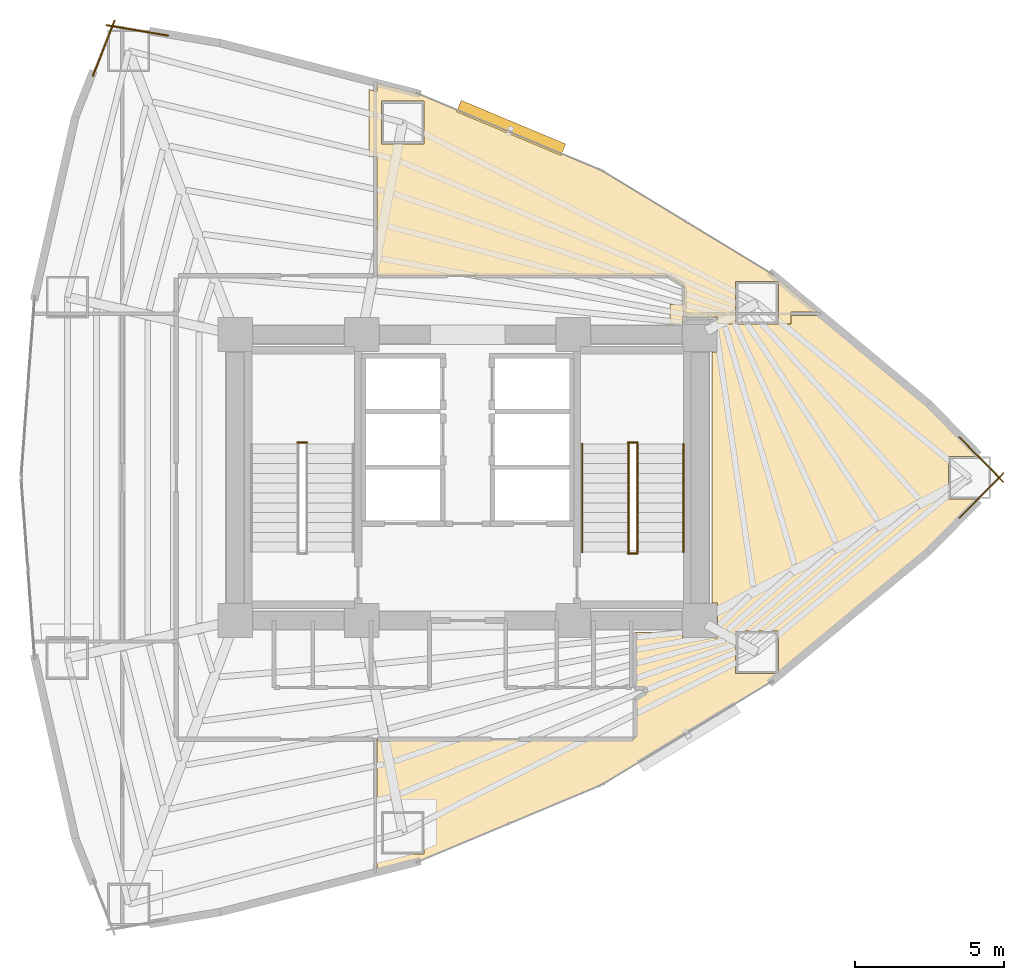
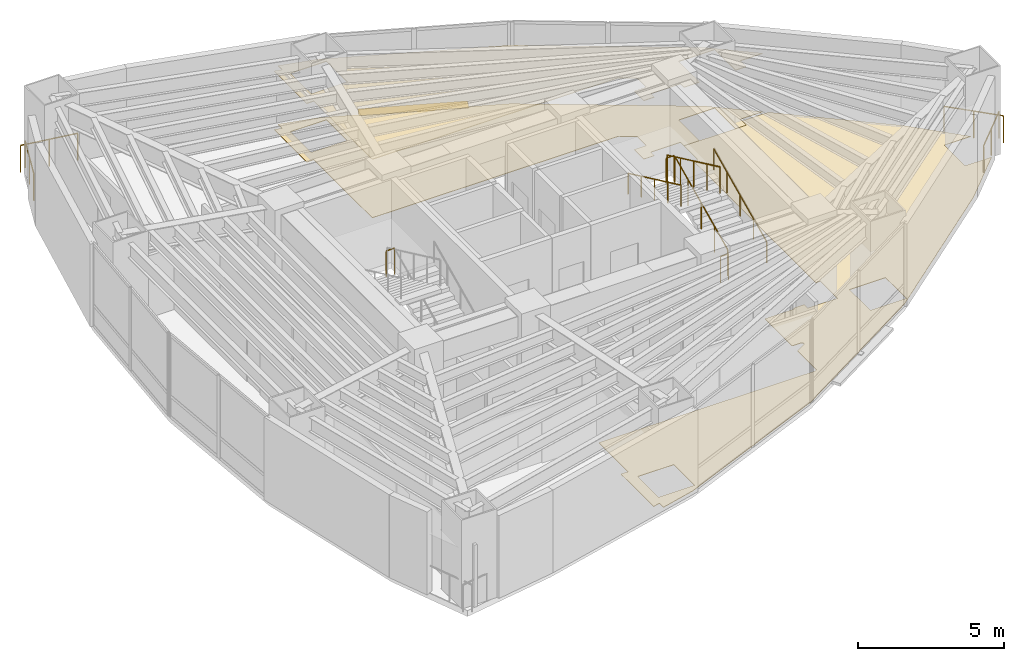
# One storey, part 17 of 17: 11 railings, 3 coverings, 1 shading device.
"""IFC4 building model written with IfcOpenShell, lengths in metres."""

from ifc_helpers import new_model, si_unit, direction, frame, origin, origin_2d, place, context, subcontext, project, spatial, polyline, rectangle, circle, outline, extrude, material, layer, layer_set, type_object, element, save


model = new_model("IFC4")

# Units and contexts
model_context = context("Model", 3, precision=1e-05, world=origin(), true_north=direction((0.0, 1.0)))
body_context = subcontext(model_context, "Body", "Model", "MODEL_VIEW")
ifc_project = project(units=[si_unit("LENGTHUNIT", "METRE"), si_unit("AREAUNIT", "SQUARE_METRE"), si_unit("VOLUMEUNIT", "CUBIC_METRE"), si_unit("PLANEANGLEUNIT", "RADIAN"), si_unit("MASSUNIT", "GRAM", prefix="KILO")], contexts=[model_context])

# Site, building, storey
site_placement = place(None, origin())
site = spatial("IfcSite", under=ifc_project, at=site_placement, CompositionType="ELEMENT")
building_placement = place(site_placement, origin())
building = spatial("IfcBuilding", under=site, at=building_placement, Name="Menara Vayukalpa", CompositionType="ELEMENT")
storey_placement = place(building_placement, frame((0.0, 0.0, 42.47998046875)))
storey = spatial("IfcBuildingStorey", under=building, at=storey_placement, Name="L09", CompositionType="ELEMENT", Elevation=42.47998046875)

# Coverings
ifc_material_1 = material(Name="Mineral Fibre Acoustic Ceiling Tile", Category="masonry")
ifc_layer_1 = layer(ifc_material_1, 0.02490234375)
ifc_layer_set_1 = layer_set([ifc_layer_1], Name="Mineral Fibre Acoustic Ceiling Tile")
covering_type_1 = type_object("IfcCoveringType", Name="COV-CLG1", PredefinedType="CEILING", material=ifc_layer_set_1)
covering_1_placement = place(storey_placement, frame((0.0, 0.0, 2.449951171875)))
element("IfcCovering", 1, at=covering_1_placement, inside=storey, type_object=covering_type_1, Name="L09 Executive Boardroom Acoustic Ceiling", PredefinedType="CEILING", context=body_context, shape_type="SweptSolid", body=[
    extrude(outline(polyline([(36.032958984375, 27.14990234375), (36.032958984375, 28.578125), (34.60302734375, 28.578125), (34.60302734375, 27.14990234375), (34.409912109375, 27.14990234375), (34.18310546875, 27.14990234375), (33.989990234375, 27.14990234375), (33.989990234375, 27.389892578125), (32.81005859375, 27.389892578125), (32.81005859375, 27.14990234375), (32.389892578125, 27.14990234375), (32.389892578125, 27.81005859375), (32.8701171875, 27.81005859375), (32.8701171875, 28.39453125), (32.86962890625, 28.40185546875), (32.868408203125, 28.408935546875), (32.86669921875, 28.416015625), (32.8642578125, 28.422607421875), (32.861083984375, 28.428955078125), (32.857177734375, 28.43505859375), (32.852783203125, 28.440673828125), (32.847900390625, 28.44580078125), (32.84228515625, 28.450439453125), (32.836181640625, 28.45458984375), (32.333984375, 28.759765625), (32.328125, 28.762939453125), (32.322509765625, 28.765380859375), (32.31640625, 28.767333984375), (32.31005859375, 28.768798828125), (32.3037109375, 28.769775390625), (32.297119140625, 28.77001953125), (22.570068359375, 28.77001953125), (22.569091796875, 28.77001953125), (22.568115234375, 28.770263671875), (22.567138671875, 28.7705078125), (22.566162109375, 28.770751953125), (22.565185546875, 28.771240234375), (22.564453125, 28.771728515625), (22.563720703125, 28.772216796875), (22.56298828125, 28.77294921875), (22.562255859375, 28.773681640625), (22.561767578125, 28.7744140625), (22.561279296875, 28.775390625), (22.560791015625, 28.776123046875), (22.560302734375, 28.777099609375), (22.560302734375, 28.778076171875), (22.56005859375, 28.779052734375), (22.56005859375, 28.780029296875), (22.56005859375, 32.787841796875), (22.284423828125, 32.787841796875), (22.284423828125, 35.03076171875), (22.56005859375, 34.96044921875), (22.56005859375, 35.226318359375), (22.56005859375, 35.227294921875), (22.560302734375, 35.228271484375), (22.560302734375, 35.22900390625), (22.560791015625, 35.22998046875), (22.56103515625, 35.23095703125), (22.5615234375, 35.231689453125), (22.562255859375, 35.232421875), (22.562744140625, 35.233154296875), (22.5634765625, 35.23388671875), (22.564208984375, 35.234619140625), (22.565185546875, 35.235107421875), (22.56591796875, 35.2353515625), (22.56689453125, 35.23583984375), (22.567626953125, 35.236083984375), (22.568603515625, 35.236083984375), (22.569580078125, 35.236328125), (22.570556640625, 35.236328125), (22.571533203125, 35.236083984375), (22.572509765625, 35.236083984375), (23.914794921875, 34.893798828125), (23.916015625, 34.893310546875), (30.08984375, 32.310791015625), (30.090576171875, 32.310302734375), (30.09130859375, 32.31005859375), (35.810791015625, 28.835693359375), (35.81201171875, 28.834716796875), (37.327880859375, 27.57763671875), (37.32861328125, 27.576904296875), (37.3291015625, 27.576416015625), (37.32958984375, 27.575439453125), (37.330078125, 27.57470703125), (37.330810546875, 27.57373046875), (37.3310546875, 27.572998046875), (37.331298828125, 27.572021484375), (37.331298828125, 27.57080078125), (37.331298828125, 27.570068359375), (37.331298828125, 27.569091796875), (37.331298828125, 27.568115234375), (37.3310546875, 27.567138671875), (37.33056640625, 27.566162109375), (37.330078125, 27.565185546875), (37.32958984375, 27.564453125), (37.3291015625, 27.563720703125), (37.32861328125, 27.56298828125), (37.32763671875, 27.562255859375), (37.326904296875, 27.561767578125), (37.326171875, 27.561279296875), (37.3251953125, 27.560791015625), (37.32421875, 27.560302734375), (37.3232421875, 27.560302734375), (37.322509765625, 27.56005859375), (37.3212890625, 27.56005859375), (36.452880859375, 27.56005859375), (36.452880859375, 27.14990234375), (36.032958984375, 27.14990234375)]), holes=[polyline([(24.134521484375, 33.207763671875), (24.134521484375, 34.6376953125), (22.704345703125, 34.6376953125), (22.704345703125, 33.207763671875), (24.134521484375, 33.207763671875)])]), origin(), (0.0, 0.0, 1.0), 0.025146484375),
])
ifc_material_2 = material(Name="Porcelain Stoneware Floor Tile", Category="masonry")
ifc_layer_2 = layer(ifc_material_2, 0.02001953125)
ifc_layer_set_2 = layer_set([ifc_layer_2], Name="Porcelain Stoneware Floor Tile")
covering_type_2 = type_object("IfcCoveringType", Name="COV-FLR1", PredefinedType="FLOORING", material=ifc_layer_set_2)
covering_2_placement = place(storey_placement, origin())
element("IfcCovering", 2, at=covering_2_placement, inside=storey, type_object=covering_type_2, Name="L09 Executive Boardroom Porcelain Flooring", PredefinedType="FLOORING", context=body_context, shape_type="SweptSolid", body=[
    extrude(outline(polyline([(22.284423828125, 11.212158203125), (22.56005859375, 11.212158203125), (22.56005859375, 13.2099609375), (22.56005859375, 13.2109375), (22.560302734375, 13.2119140625), (22.560302734375, 13.212890625), (22.560791015625, 13.2138671875), (22.561279296875, 13.214599609375), (22.561767578125, 13.215576171875), (22.562255859375, 13.21630859375), (22.56298828125, 13.217041015625), (22.563720703125, 13.2177734375), (22.564453125, 13.21826171875), (22.565185546875, 13.21875), (22.566162109375, 13.21923828125), (22.567138671875, 13.219482421875), (22.568115234375, 13.2197265625), (22.569091796875, 13.219970703125), (22.570068359375, 13.219970703125), (31.149658203125, 13.219970703125), (31.15673828125, 13.220458984375), (31.163818359375, 13.22119140625), (31.17041015625, 13.222900390625), (31.1767578125, 13.225341796875), (31.18310546875, 13.228271484375), (31.188720703125, 13.231689453125), (31.194580078125, 13.236083984375), (31.199462890625, 13.240478515625), (31.2041015625, 13.24560546875), (31.208251953125, 13.251220703125), (31.2119140625, 13.257080078125), (31.214599609375, 13.26318359375), (31.217041015625, 13.269775390625), (31.21875, 13.2763671875), (31.219482421875, 13.283203125), (31.219970703125, 13.290283203125), (31.219970703125, 14.55810546875), (31.22021484375, 14.55908203125), (31.22021484375, 14.56005859375), (31.220458984375, 14.56103515625), (31.220703125, 14.56201171875), (31.22119140625, 14.56298828125), (31.2216796875, 14.563720703125), (31.222412109375, 14.564697265625), (31.22314453125, 14.565185546875), (31.22412109375, 14.56591796875), (31.224853515625, 14.56640625), (31.5927734375, 14.7900390625), (31.5986328125, 14.794189453125), (31.60400390625, 14.798583984375), (31.60888671875, 14.803466796875), (31.61328125, 14.80908203125), (31.6171875, 14.81494140625), (31.620361328125, 14.821044921875), (31.622802734375, 14.82763671875), (31.624755859375, 14.83447265625), (31.626220703125, 14.84130859375), (31.626708984375, 14.84814453125), (31.62646484375, 14.85498046875), (31.62548828125, 14.862060546875), (31.6240234375, 14.868896484375), (31.621826171875, 14.87548828125), (31.618896484375, 14.8818359375), (31.615478515625, 14.887939453125), (31.611328125, 14.8935546875), (31.606689453125, 14.898681640625), (31.6015625, 14.903564453125), (31.59619140625, 14.90771484375), (31.590087890625, 14.911376953125), (31.583740234375, 14.91455078125), (31.5771484375, 14.916748046875), (31.570556640625, 14.918701171875), (31.563720703125, 14.919677734375), (31.556396484375, 14.919921875), (31.219970703125, 14.919921875), (31.218994140625, 14.919921875), (31.218017578125, 14.920166015625), (31.217041015625, 14.92041015625), (31.21630859375, 14.9208984375), (31.21533203125, 14.921142578125), (31.21435546875, 14.921630859375), (31.213623046875, 14.92236328125), (31.212890625, 14.9228515625), (31.21240234375, 14.923583984375), (31.211669921875, 14.92431640625), (31.211181640625, 14.92529296875), (31.210693359375, 14.92626953125), (31.21044921875, 14.927001953125), (31.210205078125, 14.927978515625), (31.2099609375, 14.928955078125), (31.2099609375, 14.929931640625), (31.2099609375, 16.780029296875), (31.2099609375, 16.781005859375), (31.210205078125, 16.781982421875), (31.21044921875, 16.782958984375), (31.210693359375, 16.78369140625), (31.211181640625, 16.78466796875), (31.211669921875, 16.78564453125), (31.21240234375, 16.786376953125), (31.212890625, 16.787109375), (31.213623046875, 16.78759765625), (31.21435546875, 16.788330078125), (31.21533203125, 16.788818359375), (31.21630859375, 16.789306640625), (31.217041015625, 16.78955078125), (31.218017578125, 16.789794921875), (31.218994140625, 16.7900390625), (31.219970703125, 16.7900390625), (32.389892578125, 16.7900390625), (32.389892578125, 16.85009765625), (32.81005859375, 16.85009765625), (32.81005859375, 16.610107421875), (33.989990234375, 16.610107421875), (33.989990234375, 17.7900390625), (33.81005859375, 17.7900390625), (33.81005859375, 26.2099609375), (33.989990234375, 26.2099609375), (33.989990234375, 27.389892578125), (32.81005859375, 27.389892578125), (32.81005859375, 27.14990234375), (32.389892578125, 27.14990234375), (32.389892578125, 27.81005859375), (34.18310546875, 27.81005859375), (34.18310546875, 28.998291015625), (35.023193359375, 28.998291015625), (35.654296875, 28.61474609375), (35.698486328125, 28.578125), (34.60302734375, 28.578125), (34.60302734375, 27.148193359375), (36.032958984375, 27.148193359375), (36.032958984375, 28.30078125), (36.452880859375, 27.952392578125), (36.452880859375, 27.43994140625), (37.45263671875, 27.43994140625), (37.458740234375, 27.440185546875), (37.46435546875, 27.441162109375), (37.47021484375, 27.442626953125), (37.475830078125, 27.444580078125), (37.47802734375, 27.445556640625), (37.478759765625, 27.446044921875), (37.479736328125, 27.4462890625), (37.480712890625, 27.446533203125), (37.481689453125, 27.446533203125), (37.482666015625, 27.446533203125), (37.4833984375, 27.446533203125), (37.484619140625, 27.4462890625), (37.4853515625, 27.446044921875), (37.486328125, 27.44580078125), (37.487060546875, 27.4453125), (37.48779296875, 27.44482421875), (37.48876953125, 27.4443359375), (41.07763671875, 24.468017578125), (41.078369140625, 24.46728515625), (42.798828125, 22.715087890625), (41.749755859375, 22.715087890625), (41.749755859375, 21.284912109375), (42.798828125, 21.284912109375), (41.078369140625, 19.53271484375), (41.07763671875, 19.531982421875), (35.81201171875, 15.165283203125), (35.810791015625, 15.164306640625), (30.09130859375, 11.68994140625), (30.090576171875, 11.689697265625), (30.08984375, 11.689208984375), (23.916015625, 9.106689453125), (23.914794921875, 9.106201171875), (22.572509765625, 8.763916015625), (22.571533203125, 8.763916015625), (22.570556640625, 8.763671875), (22.569580078125, 8.763671875), (22.568603515625, 8.763916015625), (22.567626953125, 8.763916015625), (22.56689453125, 8.76416015625), (22.56591796875, 8.7646484375), (22.565185546875, 8.764892578125), (22.564208984375, 8.765380859375), (22.5634765625, 8.76611328125), (22.562744140625, 8.766845703125), (22.562255859375, 8.767578125), (22.5615234375, 8.768310546875), (22.56103515625, 8.76904296875), (22.560791015625, 8.77001953125), (22.560302734375, 8.77099609375), (22.560302734375, 8.771728515625), (22.56005859375, 8.772705078125), (22.56005859375, 8.773681640625), (22.56005859375, 9.03955078125), (22.284423828125, 8.96923828125), (22.284423828125, 11.212158203125)]), holes=[polyline([(24.134521484375, 10.792236328125), (22.704345703125, 10.792236328125), (22.704345703125, 9.3623046875), (24.134521484375, 9.3623046875), (24.134521484375, 10.792236328125)]), polyline([(36.032958984375, 16.851806640625), (34.60302734375, 16.851806640625), (34.60302734375, 15.421875), (36.032958984375, 15.421875), (36.032958984375, 16.851806640625)])]), origin(), (0.0, 0.0, 1.0), 0.02001953125),
])
covering_3_placement = place(storey_placement, origin())
element("IfcCovering", 3, at=covering_3_placement, inside=storey, type_object=covering_type_2, Name="L09 Executive Boardroom Porcelain Flooring", PredefinedType="FLOORING", context=body_context, shape_type="SweptSolid", body=[
    extrude(outline(polyline([(36.032958984375, 27.14990234375), (36.032958984375, 28.578125), (34.60302734375, 28.578125), (34.60302734375, 27.14990234375), (34.409912109375, 27.14990234375), (34.18310546875, 27.14990234375), (33.989990234375, 27.14990234375), (33.989990234375, 27.389892578125), (32.81005859375, 27.389892578125), (32.81005859375, 27.14990234375), (32.389892578125, 27.14990234375), (32.389892578125, 27.81005859375), (32.8701171875, 27.81005859375), (32.8701171875, 28.39453125), (32.86962890625, 28.40185546875), (32.868408203125, 28.408935546875), (32.86669921875, 28.416015625), (32.8642578125, 28.422607421875), (32.861083984375, 28.428955078125), (32.857177734375, 28.43505859375), (32.852783203125, 28.440673828125), (32.847900390625, 28.44580078125), (32.84228515625, 28.450439453125), (32.836181640625, 28.45458984375), (32.333984375, 28.759765625), (32.328125, 28.762939453125), (32.322509765625, 28.765380859375), (32.31640625, 28.767333984375), (32.31005859375, 28.768798828125), (32.3037109375, 28.769775390625), (32.297119140625, 28.77001953125), (22.570068359375, 28.77001953125), (22.569091796875, 28.77001953125), (22.568115234375, 28.770263671875), (22.567138671875, 28.7705078125), (22.566162109375, 28.770751953125), (22.565185546875, 28.771240234375), (22.564453125, 28.771728515625), (22.563720703125, 28.772216796875), (22.56298828125, 28.77294921875), (22.562255859375, 28.773681640625), (22.561767578125, 28.7744140625), (22.561279296875, 28.775390625), (22.560791015625, 28.776123046875), (22.560302734375, 28.777099609375), (22.560302734375, 28.778076171875), (22.56005859375, 28.779052734375), (22.56005859375, 28.780029296875), (22.56005859375, 32.787841796875), (22.284423828125, 32.787841796875), (22.284423828125, 35.03076171875), (22.56005859375, 34.96044921875), (22.56005859375, 35.226318359375), (22.56005859375, 35.227294921875), (22.560302734375, 35.228271484375), (22.560302734375, 35.22900390625), (22.560791015625, 35.22998046875), (22.56103515625, 35.23095703125), (22.5615234375, 35.231689453125), (22.562255859375, 35.232421875), (22.562744140625, 35.233154296875), (22.5634765625, 35.23388671875), (22.564208984375, 35.234619140625), (22.565185546875, 35.235107421875), (22.56591796875, 35.2353515625), (22.56689453125, 35.23583984375), (22.567626953125, 35.236083984375), (22.568603515625, 35.236083984375), (22.569580078125, 35.236328125), (22.570556640625, 35.236328125), (22.571533203125, 35.236083984375), (22.572509765625, 35.236083984375), (23.914794921875, 34.893798828125), (23.916015625, 34.893310546875), (30.08984375, 32.310791015625), (30.090576171875, 32.310302734375), (30.09130859375, 32.31005859375), (35.810791015625, 28.835693359375), (35.81201171875, 28.834716796875), (37.327880859375, 27.57763671875), (37.32861328125, 27.576904296875), (37.3291015625, 27.576416015625), (37.32958984375, 27.575439453125), (37.330078125, 27.57470703125), (37.330810546875, 27.57373046875), (37.3310546875, 27.572998046875), (37.331298828125, 27.572021484375), (37.331298828125, 27.57080078125), (37.331298828125, 27.570068359375), (37.331298828125, 27.569091796875), (37.331298828125, 27.568115234375), (37.3310546875, 27.567138671875), (37.33056640625, 27.566162109375), (37.330078125, 27.565185546875), (37.32958984375, 27.564453125), (37.3291015625, 27.563720703125), (37.32861328125, 27.56298828125), (37.32763671875, 27.562255859375), (37.326904296875, 27.561767578125), (37.326171875, 27.561279296875), (37.3251953125, 27.560791015625), (37.32421875, 27.560302734375), (37.3232421875, 27.560302734375), (37.322509765625, 27.56005859375), (37.3212890625, 27.56005859375), (36.452880859375, 27.56005859375), (36.452880859375, 27.14990234375), (36.032958984375, 27.14990234375)]), holes=[polyline([(24.134521484375, 33.207763671875), (24.134521484375, 34.6376953125), (22.704345703125, 34.6376953125), (22.704345703125, 33.207763671875), (24.134521484375, 33.207763671875)])]), origin(), (0.0, 0.0, 1.0), 0.02001953125),
])

# Railings
ifc_material_3 = material(Name="Laminated Glass and Stainless Steel 316 Guardrail", Category="steel")
railing_type_1 = type_object("IfcRailingType", Name="RLG-EXT115", PredefinedType="GUARDRAIL", material=ifc_material_3)
railing_1_placement = place(storey_placement, frame((42.10888671875, 20.6396484375, 0.0)))
element("IfcRailing", 4, at=railing_1_placement, inside=storey, type_object=railing_type_1, Name="L09 Column Corner Spandrel Guardrail 01-1", PredefinedType="GUARDRAIL", context=body_context, shape_type="SweptSolid", body=[
    extrude(circle(Radius=0.02392578125, at=origin_2d()), frame((0.0, 0.0, 1.1259765625), z_axis=(0.700673401428, 0.713482154319, 0.0), x_axis=(-0.713482154319, 0.700673401428, 0.0)), (0.0, 0.0, 1.0), 2.11572265625),
    extrude(circle(Radius=0.02099609375, at=origin_2d()), origin(), (0.0, 0.0, 1.0), 1.101806640625),
    extrude(circle(Radius=0.02099609375, at=origin_2d()), frame((0.7412109375, 0.7548828125, 0.0)), (0.0, 0.0, 1.0), 1.101806640625),
    extrude(circle(Radius=0.02099609375, at=origin_2d()), frame((1.482421875, 1.509521484375, 0.0)), (0.0, 0.0, 1.0), 1.101806640625),
])
railing_2_placement = place(storey_placement, frame((43.59130859375, 21.850830078125, 0.0)))
element("IfcRailing", 5, at=railing_2_placement, inside=storey, type_object=railing_type_1, Name="L09 Column Corner Spandrel Guardrail 02-1", PredefinedType="GUARDRAIL", context=body_context, shape_type="SweptSolid", body=[
    extrude(circle(Radius=0.02392578125, at=origin_2d()), frame((0.0, 0.0, 1.1259765625), z_axis=(-0.700673401428, 0.713482154319, 0.0), x_axis=(-0.713482154319, -0.700673401428, 0.0)), (0.0, 0.0, 1.0), 2.11572265625),
    extrude(circle(Radius=0.02099609375, at=origin_2d()), origin(), (0.0, 0.0, 1.0), 1.101806640625),
    extrude(circle(Radius=0.02099609375, at=origin_2d()), frame((-0.7412109375, 0.7548828125, 0.0)), (0.0, 0.0, 1.0), 1.101806640625),
    extrude(circle(Radius=0.02099609375, at=origin_2d()), frame((-1.482421875, 1.509521484375, 0.0)), (0.0, 0.0, 1.0), 1.101806640625),
])
railing_3_placement = place(storey_placement, frame((15.541015625, 36.840087890625, 0.0)))
element("IfcRailing", 6, at=railing_3_placement, inside=storey, type_object=railing_type_1, Name="L09 Column Corner Spandrel Guardrail 07-1", PredefinedType="GUARDRAIL", context=body_context, shape_type="SweptSolid", body=[
    extrude(circle(Radius=0.02392578125, at=origin_2d()), frame((0.0, 0.0, 1.1259765625), z_axis=(-0.985904350491, 0.167309927029, 0.0), x_axis=(-0.167309927029, -0.985904350491, 0.0)), (0.0, 0.0, 1.0), 2.093994140625),
    extrude(circle(Radius=0.02099609375, at=origin_2d()), origin(), (0.0, 0.0, 1.0), 1.101806640625),
    extrude(circle(Radius=0.02099609375, at=origin_2d()), frame((-1.0322265625, 0.17529296875, 0.0)), (0.0, 0.0, 1.0), 1.101806640625),
    extrude(circle(Radius=0.02099609375, at=origin_2d()), frame((-2.064453125, 0.350341796875, 0.0)), (0.0, 0.0, 1.0), 1.101806640625),
])
railing_4_placement = place(storey_placement, frame((13.74755859375, 37.343505859375, 0.0)))
element("IfcRailing", 7, at=railing_4_placement, inside=storey, type_object=railing_type_1, Name="L09 Column Corner Spandrel Guardrail 08-1", PredefinedType="GUARDRAIL", context=body_context, shape_type="SweptSolid", body=[
    extrude(circle(Radius=0.02392578125, at=origin_2d()), frame((0.0, 0.0, 1.1259765625), z_axis=(-0.365580158762, -0.930779859859, 0.0), x_axis=(0.930779859859, -0.365580158762, 0.0)), (0.0, 0.0, 1.0), 1.9873046875),
    extrude(circle(Radius=0.02099609375, at=origin_2d()), origin(), (0.0, 0.0, 1.0), 1.101806640625),
    extrude(circle(Radius=0.02099609375, at=origin_2d()), frame((-0.36328125, -0.9248046875, 0.0)), (0.0, 0.0, 1.0), 1.101806640625),
    extrude(circle(Radius=0.02099609375, at=origin_2d()), frame((-0.7265625, -1.849853515625, 0.0)), (0.0, 0.0, 1.0), 1.101806640625),
])
ifc_material_4 = material(Name="Powder-Coated Galvanised Steel Guardrail", Category="steel")
railing_type_2 = type_object("IfcRailingType", Name="RLG-STG110", PredefinedType="GUARDRAIL", material=ifc_material_4)
railing_5_placement = place(storey_placement, frame((20.2099609375, 23.179931640625, 1.860107421875)))
element("IfcRailing", 8, at=railing_5_placement, inside=storey, type_object=railing_type_2, Name="L09 ST-1 stair guard 2", PredefinedType="GUARDRAIL", context=body_context, shape_type="SweptSolid", body=[
    extrude(circle(Radius=0.02392578125, at=origin_2d()), frame((0.0, 0.0, 1.09619140625), z_axis=(-1.0, 0.0, 0.0), x_axis=(0.0, -1.0, 0.0)), (0.0, 0.0, 1.0), 0.320068359375),
    extrude(circle(Radius=0.02099609375, at=origin_2d()), origin(), (0.0, 0.0, 1.0), 1.072021484375),
    extrude(circle(Radius=0.02099609375, at=origin_2d()), frame((-0.320068359375, 0.0, 0.0)), (0.0, 0.0, 1.0), 1.072021484375),
])
railing_6_placement = place(storey_placement, frame((31.300048828125, 19.5, 0.155029296875)))
element("IfcRailing", 9, at=railing_6_placement, inside=storey, type_object=railing_type_2, Name="L09 ST-2 stair guard 1", PredefinedType="GUARDRAIL", context=body_context, shape_type="SweptSolid", body=[
    extrude(circle(Radius=0.02392578125, at=origin_2d()), frame((0.0, 0.0, 1.09619140625), z_axis=(0.0, 0.90511648382, 0.425163675209), x_axis=(-1.0, 0.0, 0.0)), (0.0, 0.0, 1.0), 4.010498046875),
    extrude(circle(Radius=0.02099609375, at=origin_2d()), origin(), (0.0, 0.0, 1.0), 1.072021484375),
    extrude(circle(Radius=0.02099609375, at=origin_2d()), frame((0.0, 0.907470703125, 0.42626953125)), (0.0, 0.0, 1.0), 1.072021484375),
    extrude(circle(Radius=0.02099609375, at=origin_2d()), frame((0.0, 1.81494140625, 0.8525390625)), (0.0, 0.0, 1.0), 1.072021484375),
    extrude(circle(Radius=0.02099609375, at=origin_2d()), frame((0.0, 2.722412109375, 1.27880859375)), (0.0, 0.0, 1.0), 1.072021484375),
    extrude(circle(Radius=0.02099609375, at=origin_2d()), frame((0.0, 3.6298828125, 1.705078125)), (0.0, 0.0, 1.0), 1.072021484375),
])
railing_7_placement = place(storey_placement, frame((31.31005859375, 23.179931640625, 1.860107421875)))
element("IfcRailing", 10, at=railing_7_placement, inside=storey, type_object=railing_type_2, Name="L09 ST-2 stair guard 2", PredefinedType="GUARDRAIL", context=body_context, shape_type="SweptSolid", body=[
    extrude(circle(Radius=0.02392578125, at=origin_2d()), frame((0.0, 0.0, 1.09619140625), z_axis=(-1.0, 0.0, 0.0), x_axis=(0.0, -1.0, 0.0)), (0.0, 0.0, 1.0), 0.320068359375),
    extrude(circle(Radius=0.02099609375, at=origin_2d()), origin(), (0.0, 0.0, 1.0), 1.072021484375),
    extrude(circle(Radius=0.02099609375, at=origin_2d()), frame((-0.320068359375, 0.0, 0.0)), (0.0, 0.0, 1.0), 1.072021484375),
])
railing_8_placement = place(storey_placement, frame((31.0, 23.1298828125, 2.01513671875)))
element("IfcRailing", 11, at=railing_8_placement, inside=storey, type_object=railing_type_2, Name="L09 ST-2 stair guard 3", PredefinedType="GUARDRAIL", context=body_context, shape_type="SweptSolid", body=[
    extrude(circle(Radius=0.02392578125, at=origin_2d()), frame((0.0, 0.0, 1.09619140625), z_axis=(0.0, -0.90513990983, 0.425113800803), x_axis=(1.0, 0.0, 0.0)), (0.0, 0.0, 1.0), 4.01025390625),
    extrude(circle(Radius=0.02099609375, at=origin_2d()), origin(), (0.0, 0.0, 1.0), 1.072021484375),
    extrude(circle(Radius=0.02099609375, at=origin_2d()), frame((0.0, -0.907470703125, 0.42626953125)), (0.0, 0.0, 1.0), 1.072021484375),
    extrude(circle(Radius=0.02099609375, at=origin_2d()), frame((0.0, -1.81494140625, 0.8525390625)), (0.0, 0.0, 1.0), 1.072021484375),
    extrude(circle(Radius=0.02099609375, at=origin_2d()), frame((0.0, -2.722412109375, 1.278564453125)), (0.0, 0.0, 1.0), 1.072021484375),
    extrude(circle(Radius=0.02099609375, at=origin_2d()), frame((0.0, -3.6298828125, 1.704833984375)), (0.0, 0.0, 1.0), 1.072021484375),
])
railing_9_placement = place(storey_placement, frame((31.31005859375, 19.449951171875, 0.0)))
element("IfcRailing", 12, at=railing_9_placement, inside=storey, type_object=railing_type_2, Name="L09 ST-2 stair guard 4", PredefinedType="GUARDRAIL", context=body_context, shape_type="SweptSolid", body=[
    extrude(circle(Radius=0.02392578125, at=origin_2d()), frame((0.0, 0.0, 1.09619140625), z_axis=(-1.0, 0.0, 0.0), x_axis=(0.0, -1.0, 0.0)), (0.0, 0.0, 1.0), 0.320068359375),
    extrude(circle(Radius=0.02099609375, at=origin_2d()), origin(), (0.0, 0.0, 1.0), 1.072021484375),
    extrude(circle(Radius=0.02099609375, at=origin_2d()), frame((-0.320068359375, 0.0, 0.0)), (0.0, 0.0, 1.0), 1.072021484375),
])
ifc_material_5 = material(Name="Stainless Steel 316 Tubular Handrail", Category="steel")
railing_type_3 = type_object("IfcRailingType", Name="RLG-STH090", PredefinedType="HANDRAIL", material=ifc_material_5)
railing_10_placement = place(storey_placement, frame((32.85009765625, 19.5, 0.155029296875)))
element("IfcRailing", 13, at=railing_10_placement, inside=storey, type_object=railing_type_3, Name="L09 ST-2 stair handrail 1", PredefinedType="HANDRAIL", context=body_context, shape_type="SweptSolid", body=[
    extrude(circle(Radius=0.02392578125, at=origin_2d()), frame((0.0, 0.0, 0.8759765625), z_axis=(0.0, 0.90511648382, 0.425163675209), x_axis=(-1.0, 0.0, 0.0)), (0.0, 0.0, 1.0), 4.010498046875),
    extrude(circle(Radius=0.02099609375, at=origin_2d()), origin(), (0.0, 0.0, 1.0), 0.851806640625),
    extrude(circle(Radius=0.02099609375, at=origin_2d()), frame((0.0, 0.907470703125, 0.42626953125)), (0.0, 0.0, 1.0), 0.851806640625),
    extrude(circle(Radius=0.02099609375, at=origin_2d()), frame((0.0, 1.81494140625, 0.8525390625)), (0.0, 0.0, 1.0), 0.851806640625),
    extrude(circle(Radius=0.02099609375, at=origin_2d()), frame((0.0, 2.722412109375, 1.27880859375)), (0.0, 0.0, 1.0), 0.851806640625),
    extrude(circle(Radius=0.02099609375, at=origin_2d()), frame((0.0, 3.6298828125, 1.705078125)), (0.0, 0.0, 1.0), 0.851806640625),
])
railing_11_placement = place(storey_placement, frame((29.449951171875, 23.1298828125, 2.01513671875)))
element("IfcRailing", 14, at=railing_11_placement, inside=storey, type_object=railing_type_3, Name="L09 ST-2 stair handrail 2", PredefinedType="HANDRAIL", context=body_context, shape_type="SweptSolid", body=[
    extrude(circle(Radius=0.02392578125, at=origin_2d()), frame((0.0, 0.0, 0.8759765625), z_axis=(0.0, -0.90513990983, 0.425113800803), x_axis=(1.0, 0.0, 0.0)), (0.0, 0.0, 1.0), 4.01025390625),
    extrude(circle(Radius=0.02099609375, at=origin_2d()), origin(), (0.0, 0.0, 1.0), 0.851806640625),
    extrude(circle(Radius=0.02099609375, at=origin_2d()), frame((0.0, -0.907470703125, 0.42626953125)), (0.0, 0.0, 1.0), 0.851806640625),
    extrude(circle(Radius=0.02099609375, at=origin_2d()), frame((0.0, -1.81494140625, 0.8525390625)), (0.0, 0.0, 1.0), 0.851806640625),
    extrude(circle(Radius=0.02099609375, at=origin_2d()), frame((0.0, -2.722412109375, 1.278564453125)), (0.0, 0.0, 1.0), 0.851806640625),
    extrude(circle(Radius=0.02099609375, at=origin_2d()), frame((0.0, -3.6298828125, 1.704833984375)), (0.0, 0.0, 1.0), 0.851806640625),
])

# Shading device
ifc_material_6 = material(Name="Glazed Terracotta Ceramic Baguette Extrusion", Category="masonry")
ifc_layer_3 = layer(ifc_material_6, 0.1201171875)
ifc_layer_set_3 = layer_set([ifc_layer_3], Name="Glazed Terracotta Ceramic Baguette Extrusion")
shading_device_type = type_object("IfcShadingDeviceType", Name="SHD-SS1", PredefinedType="USERDEFINED", material=ifc_layer_set_3)
shading_device_placement = place(storey_placement, frame((27.060791015625, 33.740478515625, -0.10009765625), z_axis=(0.0, 0.0, 1.0), x_axis=(-0.922544824647, 0.385889940938, 0.0)))
element("IfcShadingDevice", 15, at=shading_device_placement, inside=storey, type_object=shading_device_type, Name="L09 Horizontal Terracotta Sunshade Band 05", ObjectType="SUNSHADE", PredefinedType="USERDEFINED", context=body_context, shape_type="SweptSolid", body=[
    extrude(rectangle(XDim=3.800048828125, YDim=0.419921875, at=origin_2d()), origin(), (0.0, 0.0, 1.0), 0.1201171875),
])

save(model, "model.ifc")
